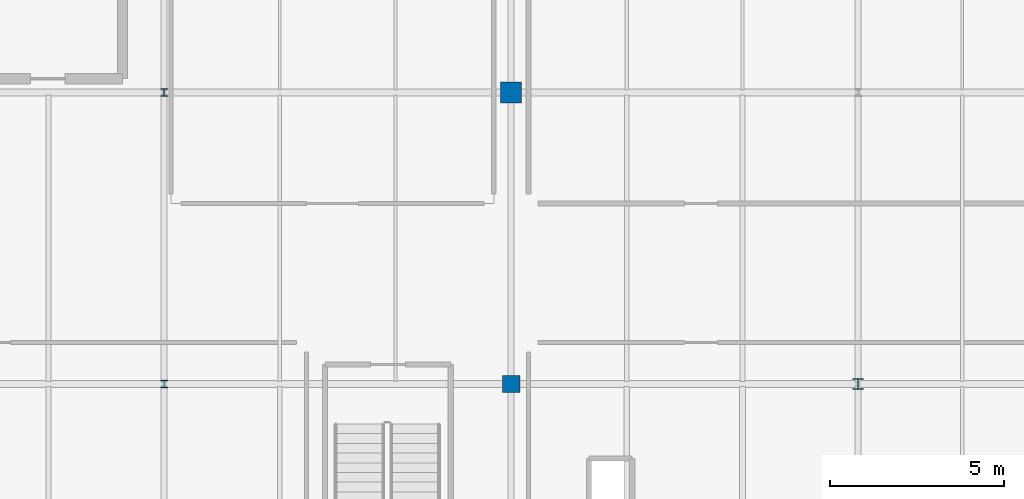
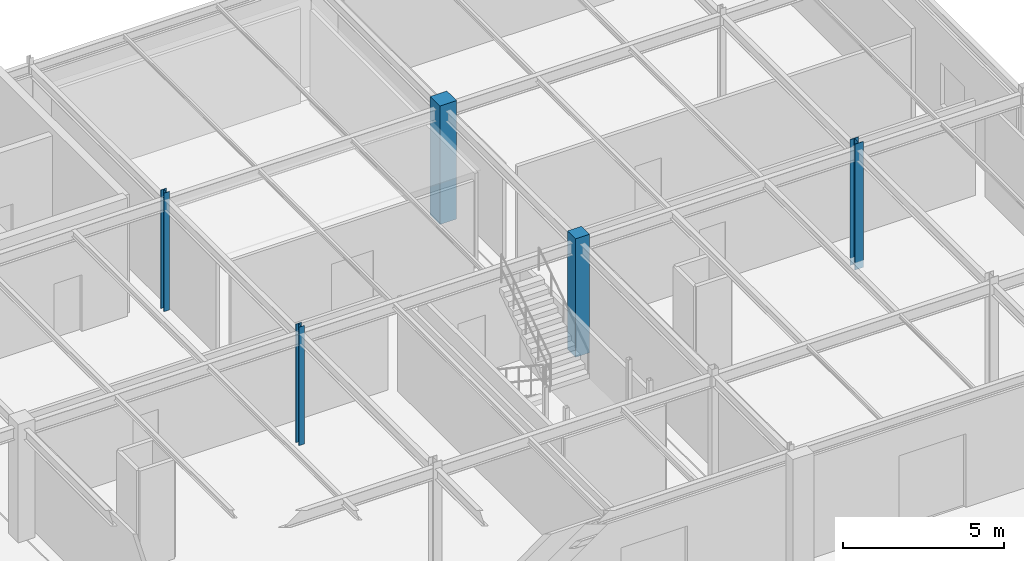
# One storey, part 40 of 119: 5 columns.
"""IFC4 building model written with IfcOpenShell, lengths in metres."""

from ifc_helpers import new_model, si_unit, derived_unit, direction, frame, origin, origin_2d_with_axis, place, context, subcontext, project, spatial, rectangle, i_section, extrude, material, material_profile, profile_set, type_object, element, save


model = new_model("IFC4")

# Units and contexts
model_context = context("Model", 3, precision=1e-05, world=origin(), true_north=direction((0.0, 1.0)))
body_context = subcontext(model_context, "Body", "Model", "MODEL_VIEW")
ifc_project = project(units=[si_unit("LENGTHUNIT", "METRE"), si_unit("AREAUNIT", "SQUARE_METRE"), si_unit("VOLUMEUNIT", "CUBIC_METRE"), si_unit("PLANEANGLEUNIT", "RADIAN"), si_unit("MASSUNIT", "GRAM", prefix="KILO"), derived_unit("THERMALTRANSMITTANCEUNIT", [(si_unit("POWERUNIT", "WATT"), 1), (si_unit("LENGTHUNIT", "METRE"), -2), (si_unit("THERMODYNAMICTEMPERATUREUNIT", "KELVIN"), -1)])], contexts=[model_context])

# Site, building, storey
site_placement = place(None, origin())
site = spatial("IfcSite", under=ifc_project, at=site_placement, CompositionType="ELEMENT")
building_placement = place(site_placement, origin())
building = spatial("IfcBuilding", under=site, at=building_placement, Name="Cinnabar Yard Market Hall", CompositionType="ELEMENT")
storey_placement = place(building_placement, origin())
storey = spatial("IfcBuildingStorey", under=building, at=storey_placement, Name="L00", CompositionType="ELEMENT", Elevation=0.0)

# Columns
ifc_material_1 = material(Name="Steel Grade 300 (300 MPa)", Category="steel")
ifc_material_profile_1 = material_profile(ifc_material_1, i_section(OverallWidth=0.304931640625, OverallDepth=0.30810546875, WebThickness=0.010009765625, FlangeThickness=0.015380859375, FilletRadius=0.0166015625, at=origin_2d_with_axis()), Name="310UC96.8")
ifc_profile_set_1 = profile_set([ifc_material_profile_1], Name="Steel Grade 300 (300 MPa)")
column_type_1 = type_object("IfcColumnType", Name="COL-C09", PredefinedType="COLUMN", material=ifc_profile_set_1)
column_1_placement = place(storey_placement, frame((156.0, 121.199951171875, -0.280029296875), z_axis=(0.0, 0.0, 1.0), x_axis=(1.0, 0.0, 0.0)))
element("IfcColumn", 1, at=column_1_placement, inside=storey, type_object=column_type_1, Name="Wing Column V3-10-03 L00", PredefinedType="COLUMN", context=body_context, shape_type="SweptSolid", body=[
    extrude(i_section(OverallWidth=0.304931640625, OverallDepth=0.30810546875, WebThickness=0.010009765625, FlangeThickness=0.015380859375, FilletRadius=0.0166015625, at=origin_2d_with_axis()), origin(), (0.0, 0.0, 1.0), 4.780029296875),
])
ifc_material_profile_2 = material_profile(ifc_material_1, i_section(OverallWidth=0.203369140625, OverallDepth=0.203369140625, WebThickness=0.00732421875, FlangeThickness=0.010986328125, FilletRadius=0.011474609375, at=origin_2d_with_axis()), Name="200UC46.2")
ifc_profile_set_2 = profile_set([ifc_material_profile_2], Name="Steel Grade 300 (300 MPa)")
column_type_2 = type_object("IfcColumnType", Name="COL-C13", PredefinedType="COLUMN", material=ifc_profile_set_2)
column_2_placement = place(storey_placement, frame((136.0, 121.199951171875, 0.0), z_axis=(0.0, 0.0, 1.0), x_axis=(1.0, 0.0, 0.0)))
element("IfcColumn", 2, at=column_2_placement, inside=storey, type_object=column_type_2, Name="Wing Column V3-08-03 L00", PredefinedType="COLUMN", context=body_context, shape_type="SweptSolid", body=[
    extrude(i_section(OverallWidth=0.203369140625, OverallDepth=0.203369140625, WebThickness=0.00732421875, FlangeThickness=0.010986328125, FilletRadius=0.011474609375, at=origin_2d_with_axis()), origin(), (0.0, 0.0, 1.0), 4.5),
])
ifc_material_profile_3 = material_profile(ifc_material_1, i_section(OverallWidth=0.205078125, OverallDepth=0.209716796875, WebThickness=0.00927734375, FlangeThickness=0.01416015625, FilletRadius=0.011474609375, at=origin_2d_with_axis()), Name="200UC59.5")
ifc_profile_set_3 = profile_set([ifc_material_profile_3], Name="Steel Grade 300 (300 MPa)")
column_type_3 = type_object("IfcColumnType", Name="COL-C17", PredefinedType="COLUMN", material=ifc_profile_set_3)
column_3_placement = place(storey_placement, frame((136.0, 129.60009765625, 0.0), z_axis=(0.0, 0.0, 1.0), x_axis=(1.0, 0.0, 0.0)))
element("IfcColumn", 3, at=column_3_placement, inside=storey, type_object=column_type_3, Name="Wing Column V3-08-04 L00", PredefinedType="COLUMN", context=body_context, shape_type="SweptSolid", body=[
    extrude(i_section(OverallWidth=0.205078125, OverallDepth=0.209716796875, WebThickness=0.00927734375, FlangeThickness=0.01416015625, FilletRadius=0.011474609375, at=origin_2d_with_axis()), origin(), (0.0, 0.0, 1.0), 4.5),
])
ifc_material_2 = material(Name="Concrete 40 MPa", Category="concrete")
ifc_material_profile_4 = material_profile(ifc_material_2, rectangle(XDim=0.5, YDim=0.5, at=origin_2d_with_axis()), Name="RC-500x500")
ifc_profile_set_4 = profile_set([ifc_material_profile_4], Name="Concrete 40 MPa")
column_type_4 = type_object("IfcColumnType", Name="COL-RC1", PredefinedType="COLUMN", material=ifc_profile_set_4)
column_4_placement = place(storey_placement, frame((146.0, 121.199951171875, 0.0), z_axis=(0.0, 0.0, 1.0), x_axis=(1.0, 0.0, 0.0)))
element("IfcColumn", 4, at=column_4_placement, inside=storey, type_object=column_type_4, Name="Wing Column V3-09-03 L00", PredefinedType="COLUMN", context=body_context, shape_type="SweptSolid", body=[
    extrude(rectangle(XDim=0.5, YDim=0.5, at=origin_2d_with_axis()), origin(), (0.0, 0.0, 1.0), 4.5),
])
ifc_material_profile_5 = material_profile(ifc_material_2, rectangle(XDim=0.60009765625, YDim=0.60009765625, at=origin_2d_with_axis()), Name="RC-600x600")
ifc_profile_set_5 = profile_set([ifc_material_profile_5], Name="Concrete 40 MPa")
column_type_5 = type_object("IfcColumnType", Name="COL-RC2", PredefinedType="COLUMN", material=ifc_profile_set_5)
column_5_placement = place(storey_placement, frame((146.0, 129.60009765625, 0.0), z_axis=(0.0, 0.0, 1.0), x_axis=(1.0, 0.0, 0.0)))
element("IfcColumn", 5, at=column_5_placement, inside=storey, type_object=column_type_5, Name="Wing Column V3-09-04 L00", PredefinedType="COLUMN", context=body_context, shape_type="SweptSolid", body=[
    extrude(rectangle(XDim=0.60009765625, YDim=0.60009765625, at=origin_2d_with_axis()), origin(), (0.0, 0.0, 1.0), 4.5),
])

save(model, "model.ifc")
